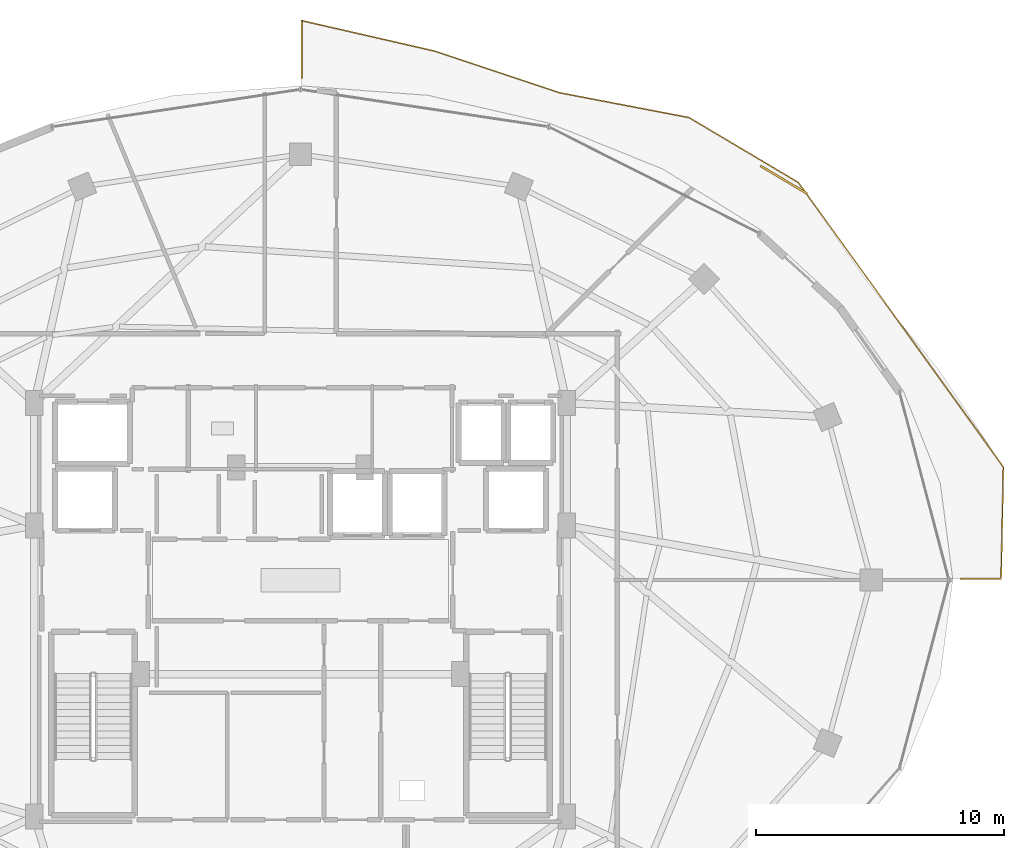
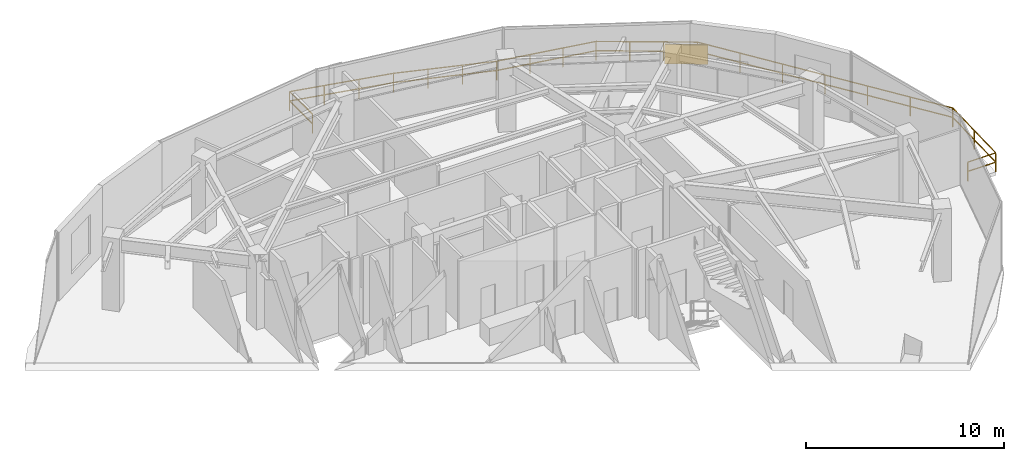
# One storey, part 26 of 27: 2 railings, 1 shading device.
"""IFC4 building model written with IfcOpenShell, lengths in metres."""

from ifc_helpers import new_model, si_unit, direction, frame, origin, origin_2d, place, context, subcontext, project, spatial, rectangle, extrude, material, type_object, element, save


model = new_model("IFC4")

# Units and contexts
model_context = context("Model", 3, precision=1e-05, world=origin(), true_north=direction((0.0, 1.0)))
body_context = subcontext(model_context, "Body", "Model", "MODEL_VIEW")
ifc_project = project(units=[si_unit("LENGTHUNIT", "METRE"), si_unit("AREAUNIT", "SQUARE_METRE"), si_unit("VOLUMEUNIT", "CUBIC_METRE"), si_unit("PLANEANGLEUNIT", "RADIAN"), si_unit("MASSUNIT", "GRAM", prefix="KILO")], contexts=[model_context])

# Site, building, storey
site_placement = place(None, origin())
site = spatial("IfcSite", under=ifc_project, at=site_placement, CompositionType="ELEMENT")
building_placement = place(site_placement, origin())
building = spatial("IfcBuilding", under=site, at=building_placement, Name="Vorneva Point Tower", CompositionType="ELEMENT")
storey_placement = place(building_placement, frame((0.0, 0.0, 229.75)))
storey = spatial("IfcBuildingStorey", under=building, at=storey_placement, Name="L62", CompositionType="ELEMENT", Elevation=229.75)

# Railings
ifc_material = material(Name="Pale anodised aluminium", Category="aluminium")
railing_type = type_object("IfcRailingType", Name="RL-BAL-1200", PredefinedType="BALUSTRADE", material=ifc_material)
railing_1_placement = place(storey_placement, frame((38.050048828125, 48.598388671875, 0.0)))
element("IfcRailing", 1, at=railing_1_placement, inside=storey, type_object=railing_type, Name="L62 Wave Balcony Balustrade NE.1", PredefinedType="BALUSTRADE", context=body_context, shape_type="SweptSolid", body=[
    extrude(rectangle(XDim=0.048095703125, YDim=0.048095703125, at=origin_2d()), frame((0.0, 0.0, 1.17578125), z_axis=(0.0, -1.0, 0.0), x_axis=(1.0, 0.0, 0.0)), (0.0, 0.0, 1.0), 2.3212890625),
    extrude(rectangle(XDim=0.048095703125, YDim=0.048095703125, at=origin_2d()), frame((0.0, 0.0, 0.60009765625), z_axis=(0.0, -1.0, 0.0), x_axis=(1.0, 0.0, 0.0)), (0.0, 0.0, 1.0), 2.3212890625),
    extrude(rectangle(XDim=0.0419921875, YDim=0.0419921875, at=origin_2d()), origin(), (0.0, 0.0, 1.0), 1.15185546875),
    extrude(rectangle(XDim=0.0419921875, YDim=0.0419921875, at=origin_2d()), frame((0.0, -2.3212890625, 0.0)), (0.0, 0.0, 1.0), 1.15185546875),
])
railing_2_placement = place(storey_placement, frame((64.666259765625, 26.050048828125, 0.0)))
element("IfcRailing", 2, at=railing_2_placement, inside=storey, type_object=railing_type, Name="L62 Wave Balcony Balustrade NE.2", PredefinedType="BALUSTRADE", context=body_context, shape_type="SweptSolid", body=[
    extrude(rectangle(XDim=0.048095703125, YDim=0.048095703125, at=origin_2d()), frame((0.0, 0.0, 1.17578125), z_axis=(1.0, 0.0, 0.0), x_axis=(0.0, 1.0, 0.0)), (0.0, 0.0, 1.0), 1.634765625),
    extrude(rectangle(XDim=0.048095703125, YDim=0.048095703125, at=origin_2d()), frame((0.0, 0.0, 0.60009765625), z_axis=(1.0, 0.0, 0.0), x_axis=(0.0, 1.0, 0.0)), (0.0, 0.0, 1.0), 1.634765625),
    extrude(rectangle(XDim=0.048095703125, YDim=0.048095703125, at=origin_2d()), frame((1.634765625, 0.0, 1.17578125), z_axis=(0.020549532546, 0.999788836061, 0.0), x_axis=(-0.999788836061, 0.020549532546, 0.0)), (0.0, 0.0, 1.0), 4.5146484375),
    extrude(rectangle(XDim=0.048095703125, YDim=0.048095703125, at=origin_2d()), frame((1.634765625, 0.0, 0.60009765625), z_axis=(0.020549532546, 0.999788836061, 0.0), x_axis=(-0.999788836061, 0.020549532546, 0.0)), (0.0, 0.0, 1.0), 4.5146484375),
    extrude(rectangle(XDim=0.048095703125, YDim=0.048095703125, at=origin_2d()), frame((1.7275390625, 4.513671875, 1.17578125), z_axis=(-0.584576966911, 0.811338258531, 0.0), x_axis=(-0.811338258531, -0.584576966911, 0.0)), (0.0, 0.0, 1.0), 14.1728515625),
    extrude(rectangle(XDim=0.048095703125, YDim=0.048095703125, at=origin_2d()), frame((1.7275390625, 4.513671875, 0.60009765625), z_axis=(-0.584576966911, 0.811338258531, 0.0), x_axis=(-0.811338258531, -0.584576966911, 0.0)), (0.0, 0.0, 1.0), 14.1728515625),
    extrude(rectangle(XDim=0.048095703125, YDim=0.048095703125, at=origin_2d()), frame((-6.5576171875, 16.0126953125, 1.17578125), z_axis=(-0.85984691298, 0.510551942743, 0.0), x_axis=(-0.510551942743, -0.85984691298, 0.0)), (0.0, 0.0, 1.0), 5.13232421875),
    extrude(rectangle(XDim=0.048095703125, YDim=0.048095703125, at=origin_2d()), frame((-6.5576171875, 16.0126953125, 0.60009765625), z_axis=(-0.85984691298, 0.510551942743, 0.0), x_axis=(-0.510551942743, -0.85984691298, 0.0)), (0.0, 0.0, 1.0), 5.13232421875),
    extrude(rectangle(XDim=0.048095703125, YDim=0.048095703125, at=origin_2d()), frame((-10.970703125, 18.633056640625, 1.17578125), z_axis=(-0.982117634972, 0.188268295464, 0.0), x_axis=(-0.188268295464, -0.982117634972, 0.0)), (0.0, 0.0, 1.0), 5.316650390625),
    extrude(rectangle(XDim=0.048095703125, YDim=0.048095703125, at=origin_2d()), frame((-10.970703125, 18.633056640625, 0.60009765625), z_axis=(-0.982117634972, 0.188268295464, 0.0), x_axis=(-0.188268295464, -0.982117634972, 0.0)), (0.0, 0.0, 1.0), 5.316650390625),
    extrude(rectangle(XDim=0.048095703125, YDim=0.048095703125, at=origin_2d()), frame((-16.1923828125, 19.634033203125, 1.17578125), z_axis=(-0.94880218578, 0.315870879093, 0.0), x_axis=(-0.315870879093, -0.94880218578, 0.0)), (0.0, 0.0, 1.0), 5.336181640625),
    extrude(rectangle(XDim=0.048095703125, YDim=0.048095703125, at=origin_2d()), frame((-16.1923828125, 19.634033203125, 0.60009765625), z_axis=(-0.94880218578, 0.315870879093, 0.0), x_axis=(-0.315870879093, -0.94880218578, 0.0)), (0.0, 0.0, 1.0), 5.336181640625),
    extrude(rectangle(XDim=0.048095703125, YDim=0.048095703125, at=origin_2d()), frame((-21.25537109375, 21.319580078125, 1.17578125), z_axis=(-0.974723055211, 0.223416574227, 0.0), x_axis=(-0.223416574227, -0.974723055211, 0.0)), (0.0, 0.0, 1.0), 5.499755859375),
    extrude(rectangle(XDim=0.048095703125, YDim=0.048095703125, at=origin_2d()), frame((-21.25537109375, 21.319580078125, 0.60009765625), z_axis=(-0.974723055211, 0.223416574227, 0.0), x_axis=(-0.223416574227, -0.974723055211, 0.0)), (0.0, 0.0, 1.0), 5.499755859375),
    extrude(rectangle(XDim=0.0419921875, YDim=0.0419921875, at=origin_2d()), origin(), (0.0, 0.0, 1.0), 1.15185546875),
    extrude(rectangle(XDim=0.0419921875, YDim=0.0419921875, at=origin_2d()), frame((1.634765625, 0.0, 0.0)), (0.0, 0.0, 1.0), 1.15185546875),
    extrude(rectangle(XDim=0.0419921875, YDim=0.0419921875, at=origin_2d()), frame((1.68115234375, 2.2568359375, 0.0)), (0.0, 0.0, 1.0), 1.15185546875),
    extrude(rectangle(XDim=0.0419921875, YDim=0.0419921875, at=origin_2d()), frame((1.7275390625, 4.513671875, 0.0)), (0.0, 0.0, 1.0), 1.15185546875),
    extrude(rectangle(XDim=0.0419921875, YDim=0.0419921875, at=origin_2d()), frame((0.3466796875, 6.43017578125, 0.0)), (0.0, 0.0, 1.0), 1.15185546875),
    extrude(rectangle(XDim=0.0419921875, YDim=0.0419921875, at=origin_2d()), frame((-1.0341796875, 8.3466796875, 0.0)), (0.0, 0.0, 1.0), 1.15185546875),
    extrude(rectangle(XDim=0.0419921875, YDim=0.0419921875, at=origin_2d()), frame((-2.4150390625, 10.26318359375, 0.0)), (0.0, 0.0, 1.0), 1.15185546875),
    extrude(rectangle(XDim=0.0419921875, YDim=0.0419921875, at=origin_2d()), frame((-3.7958984375, 12.1796875, 0.0)), (0.0, 0.0, 1.0), 1.15185546875),
    extrude(rectangle(XDim=0.0419921875, YDim=0.0419921875, at=origin_2d()), frame((-5.1767578125, 14.09619140625, 0.0)), (0.0, 0.0, 1.0), 1.15185546875),
    extrude(rectangle(XDim=0.0419921875, YDim=0.0419921875, at=origin_2d()), frame((-6.5576171875, 16.0126953125, 0.0)), (0.0, 0.0, 1.0), 1.15185546875),
    extrude(rectangle(XDim=0.0419921875, YDim=0.0419921875, at=origin_2d()), frame((-8.028564453125, 16.88623046875, 0.0)), (0.0, 0.0, 1.0), 1.15185546875),
    extrude(rectangle(XDim=0.0419921875, YDim=0.0419921875, at=origin_2d()), frame((-9.499755859375, 17.759521484375, 0.0)), (0.0, 0.0, 1.0), 1.15185546875),
    extrude(rectangle(XDim=0.0419921875, YDim=0.0419921875, at=origin_2d()), frame((-10.970703125, 18.633056640625, 0.0)), (0.0, 0.0, 1.0), 1.15185546875),
    extrude(rectangle(XDim=0.0419921875, YDim=0.0419921875, at=origin_2d()), frame((-12.711181640625, 18.966796875, 0.0)), (0.0, 0.0, 1.0), 1.15185546875),
    extrude(rectangle(XDim=0.0419921875, YDim=0.0419921875, at=origin_2d()), frame((-14.451904296875, 19.30029296875, 0.0)), (0.0, 0.0, 1.0), 1.15185546875),
    extrude(rectangle(XDim=0.0419921875, YDim=0.0419921875, at=origin_2d()), frame((-16.1923828125, 19.634033203125, 0.0)), (0.0, 0.0, 1.0), 1.15185546875),
    extrude(rectangle(XDim=0.0419921875, YDim=0.0419921875, at=origin_2d()), frame((-17.880126953125, 20.19580078125, 0.0)), (0.0, 0.0, 1.0), 1.15185546875),
    extrude(rectangle(XDim=0.0419921875, YDim=0.0419921875, at=origin_2d()), frame((-19.567626953125, 20.7578125, 0.0)), (0.0, 0.0, 1.0), 1.15185546875),
    extrude(rectangle(XDim=0.0419921875, YDim=0.0419921875, at=origin_2d()), frame((-21.25537109375, 21.319580078125, 0.0)), (0.0, 0.0, 1.0), 1.15185546875),
    extrude(rectangle(XDim=0.0419921875, YDim=0.0419921875, at=origin_2d()), frame((-23.042236328125, 21.729248046875, 0.0)), (0.0, 0.0, 1.0), 1.15185546875),
    extrude(rectangle(XDim=0.0419921875, YDim=0.0419921875, at=origin_2d()), frame((-24.829345703125, 22.138671875, 0.0)), (0.0, 0.0, 1.0), 1.15185546875),
    extrude(rectangle(XDim=0.0419921875, YDim=0.0419921875, at=origin_2d()), frame((-26.6162109375, 22.54833984375, 0.0)), (0.0, 0.0, 1.0), 1.15185546875),
])

# Shading device
shading_device_type = type_object("IfcShadingDeviceType", Name="SHD-JAL-1200", PredefinedType="JALOUSIE", material=ifc_material)
shading_device_placement = place(storey_placement, frame((57.530517578125, 42.165283203125, -0.02001953125), z_axis=(0.0, 0.0, 1.0), x_axis=(-0.859861182121, 0.510527910581, 0.0)))
element("IfcShadingDevice", 3, at=shading_device_placement, inside=storey, type_object=shading_device_type, Name="L62 Balcony Vertical-Greenery Planter Screen NE.2", PredefinedType="JALOUSIE", context=body_context, shape_type="SweptSolid", body=[
    extrude(rectangle(XDim=2.199951171875, YDim=0.080078125, at=origin_2d()), origin(), (0.0, 0.0, 1.0), 1.199951171875),
])

save(model, "model.ifc")
